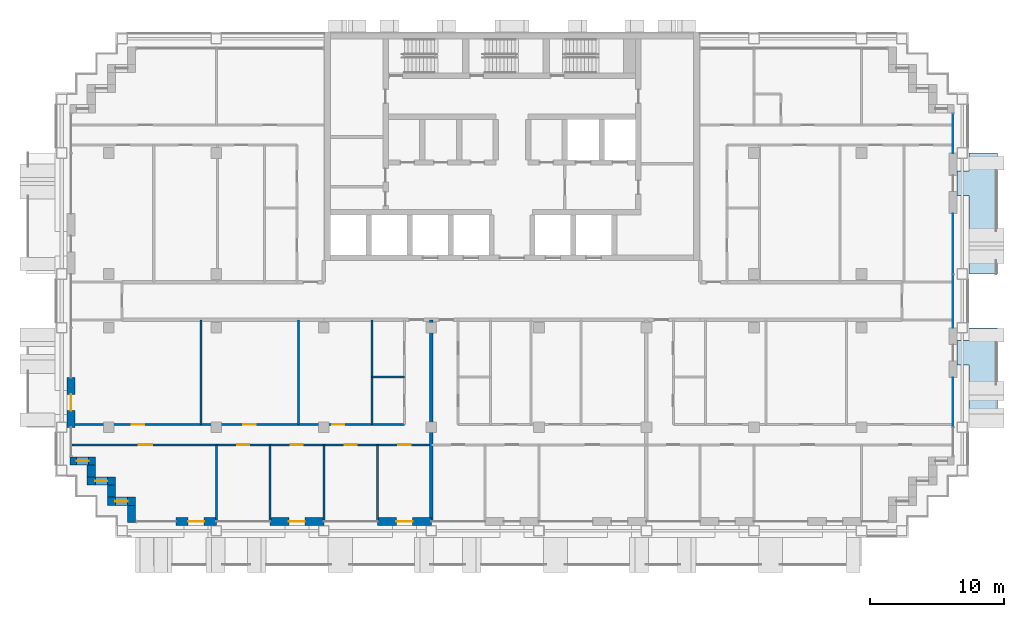
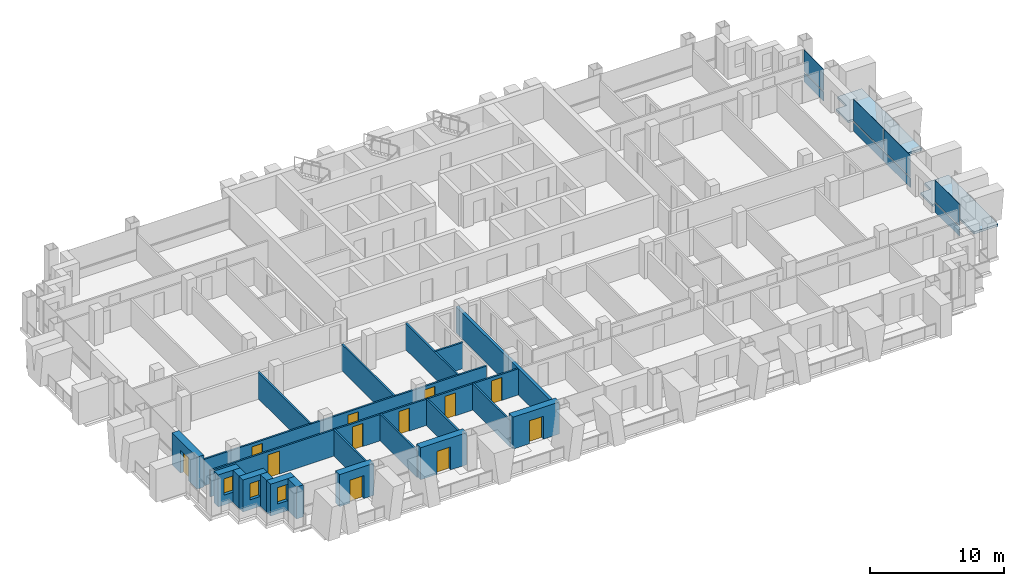
# One storey, part 7 of 16: 21 walls, 12 doors, 8 plates, 3 windows, 2 slabs, 15 openings, 3 elements without a shape of their own.
"""IFC4 building model written with IfcOpenShell, lengths in metres."""

from ifc_helpers import new_model, si_unit, direction, frame, frame_2d, origin, origin_2d, place, context, subcontext, project, spatial, polyline, rectangle, outline, extrude, material, layer, layer_set, type_object, element, fill, aggregate, save


model = new_model("IFC4")

# Units and contexts
model_context = context("Model", 3, precision=1e-05, world=origin(), true_north=direction((0.0, 1.0)))
body_context = subcontext(model_context, "Body", "Model", "MODEL_VIEW")
ifc_project = project(units=[si_unit("LENGTHUNIT", "METRE"), si_unit("AREAUNIT", "SQUARE_METRE"), si_unit("VOLUMEUNIT", "CUBIC_METRE"), si_unit("PLANEANGLEUNIT", "RADIAN"), si_unit("MASSUNIT", "GRAM", prefix="KILO")], contexts=[model_context])

# Site, building, storey
site_placement = place(None, origin())
site = spatial("IfcSite", under=ifc_project, at=site_placement, CompositionType="ELEMENT")
building_placement = place(site_placement, origin())
building = spatial("IfcBuilding", under=site, at=building_placement, Name="Vidyagriha Tower", CompositionType="ELEMENT")
storey_placement = place(building_placement, frame((0.0, 0.0, 135.800048828125)))
storey = spatial("IfcBuildingStorey", under=building, at=storey_placement, Name="L35", CompositionType="ELEMENT", Elevation=135.800048828125)

# Curtain wall, plate
ifc_material_1 = material(Name="Aluminium and glass curtain wall", Category="aluminium")
curtain_wall_type = type_object("IfcCurtainWallType", Name="Dwelling skin unitised curtain wall", PredefinedType="USERDEFINED", material=ifc_material_1)
curtain_wall_1_placement = place(storey_placement, origin())
curtain_wall_1 = element("IfcCurtainWall", 1, at=curtain_wall_1_placement, inside=storey, type_object=curtain_wall_type, Name="CW1 dwelling skin", ObjectType="UNITISED", PredefinedType="USERDEFINED")
ifc_material_2 = material(Name="Glass dark ceramic-fritted spandrel", Category="glass")
ifc_layer_1 = layer(ifc_material_2, 0.0400390625)
ifc_layer_set_1 = layer_set([ifc_layer_1], Name="Glass dark ceramic-fritted spandrel")
plate_type_1 = type_object("IfcPlateType", Name="Ceramic-fritted spandrel panel", PredefinedType="CURTAIN_PANEL", material=ifc_layer_set_1)
plate_1_placement = place(storey_placement, frame((32.800048828125, -7.532470703125, 0.0), z_axis=(0.0, 0.0, 1.0), x_axis=(0.0, 1.0, 0.0)))
plate_1 = element("IfcPlate", 2, at=plate_1_placement, type_object=plate_type_1, Name="CW1 panel 2.1", PredefinedType="CURTAIN_PANEL", context=body_context, shape_type="SweptSolid", body=[
    extrude(rectangle(XDim=3.6650390625, YDim=0.0400390625, at=origin_2d()), origin(), (0.0, 0.0, 1.0), 0.85009765625),
])

curtain_wall_2_placement = place(storey_placement, origin())
curtain_wall_2 = element("IfcCurtainWall", 3, at=curtain_wall_2_placement, inside=storey, type_object=curtain_wall_type, Name="CW1 dwelling skin", ObjectType="UNITISED", PredefinedType="USERDEFINED")
plate_2_placement = place(storey_placement, frame((32.800048828125, 12.465087890625, 0.0), z_axis=(0.0, 0.0, 1.0), x_axis=(0.0, 1.0, 0.0)))
plate_2 = element("IfcPlate", 4, at=plate_2_placement, type_object=plate_type_1, Name="CW1 panel 1.1", PredefinedType="CURTAIN_PANEL", context=body_context, shape_type="SweptSolid", body=[
    extrude(rectangle(XDim=2.929931640625, YDim=0.0400390625, at=origin_2d()), origin(), (0.0, 0.0, 1.0), 0.85009765625),
])

# Plate
ifc_material_3 = material(Name="Glass dark ceramic-fritted", Category="glass")
ifc_layer_2 = layer(ifc_material_3, 0.028076171875)
ifc_layer_set_2 = layer_set([ifc_layer_2], Name="Glass dark ceramic-fritted")
plate_type_2 = type_object("IfcPlateType", Name="Dark ceramic-fritted vision glass panel", PredefinedType="CURTAIN_PANEL", material=ifc_layer_set_2)
plate_3_placement = place(storey_placement, frame((32.800048828125, -7.532470703125, 0.9501953125), z_axis=(0.0, 0.0, 1.0), x_axis=(0.0, 1.0, 0.0)))
plate_3 = element("IfcPlate", 5, at=plate_3_placement, type_object=plate_type_2, Name="CW1 panel 2.2", PredefinedType="CURTAIN_PANEL", context=body_context, shape_type="SweptSolid", body=[
    extrude(rectangle(XDim=3.6650390625, YDim=0.028076171875, at=origin_2d()), origin(), (0.0, 0.0, 1.0), 1.969970703125),
])

aggregate(curtain_wall_1, [plate_1, plate_3])

# Curtain wall, plates
curtain_wall_3_placement = place(storey_placement, origin())
curtain_wall_3 = element("IfcCurtainWall", 6, at=curtain_wall_3_placement, inside=storey, type_object=curtain_wall_type, Name="CW1 dwelling skin", ObjectType="UNITISED", PredefinedType="USERDEFINED")
plate_4_placement = place(storey_placement, frame((32.800048828125, -0.017578125, 0.9501953125), z_axis=(0.0, 0.0, 1.0), x_axis=(0.0, 1.0, 0.0)))
plate_4 = element("IfcPlate", 7, at=plate_4_placement, type_object=plate_type_2, Name="CW1 panel 1.2", PredefinedType="CURTAIN_PANEL", context=body_context, shape_type="SweptSolid", body=[
    extrude(rectangle(XDim=3.965087890625, YDim=0.028076171875, at=origin_2d()), origin(), (0.0, 0.0, 1.0), 1.969970703125),
])
plate_5_placement = place(storey_placement, frame((32.800048828125, 4.267578125, 0.9501953125), z_axis=(0.0, 0.0, 1.0), x_axis=(0.0, 1.0, 0.0)))
plate_5 = element("IfcPlate", 8, at=plate_5_placement, type_object=plate_type_2, Name="CW1 panel 2.2", PredefinedType="CURTAIN_PANEL", context=body_context, shape_type="SweptSolid", body=[
    extrude(rectangle(XDim=4.465087890625, YDim=0.028076171875, at=origin_2d()), origin(), (0.0, 0.0, 1.0), 1.969970703125),
])

# Plate
plate_6_placement = place(storey_placement, frame((32.800048828125, 12.465087890625, 0.9501953125), z_axis=(0.0, 0.0, 1.0), x_axis=(0.0, 1.0, 0.0)))
plate_6 = element("IfcPlate", 9, at=plate_6_placement, type_object=plate_type_2, Name="CW1 panel 1.2", PredefinedType="CURTAIN_PANEL", context=body_context, shape_type="SweptSolid", body=[
    extrude(rectangle(XDim=2.929931640625, YDim=0.028076171875, at=origin_2d()), origin(), (0.0, 0.0, 1.0), 1.969970703125),
])

aggregate(curtain_wall_2, [plate_2, plate_6])

ifc_material_4 = material(Name="Aluminium black anodised", Category="aluminium")
ifc_layer_3 = layer(ifc_material_4, 0.06005859375)
ifc_layer_set_3 = layer_set([ifc_layer_3], Name="Aluminium black anodised")
plate_type_3 = type_object("IfcPlateType", Name="Operable black-metal vent panel", PredefinedType="CURTAIN_PANEL", material=ifc_layer_set_3)
plate_7_placement = place(storey_placement, frame((32.800048828125, -0.017578125, 0.0), z_axis=(0.0, 0.0, 1.0), x_axis=(0.0, 1.0, 0.0)))
plate_7 = element("IfcPlate", 10, at=plate_7_placement, type_object=plate_type_3, Name="CW1 panel 1.1", PredefinedType="CURTAIN_PANEL", context=body_context, shape_type="SweptSolid", body=[
    extrude(rectangle(XDim=3.965087890625, YDim=0.06005859375, at=origin_2d()), origin(), (0.0, 0.0, 1.0), 0.85009765625),
])

plate_8_placement = place(storey_placement, frame((32.800048828125, 4.267578125, 0.0), z_axis=(0.0, 0.0, 1.0), x_axis=(0.0, 1.0, 0.0)))
plate_8 = element("IfcPlate", 11, at=plate_8_placement, type_object=plate_type_3, Name="CW1 panel 2.1", PredefinedType="CURTAIN_PANEL", context=body_context, shape_type="SweptSolid", body=[
    extrude(rectangle(XDim=4.465087890625, YDim=0.06005859375, at=origin_2d()), origin(), (0.0, 0.0, 1.0), 0.85009765625),
])

aggregate(curtain_wall_3, [plate_7, plate_4, plate_8, plate_5])

# Slabs
ifc_material_5 = material(Name="Precast concrete C40/50", Category="concrete")
ifc_layer_4 = layer(ifc_material_5, 0.199951171875)
ifc_layer_set_4 = layer_set([ifc_layer_4], Name="Precast concrete C40/50")
slab_type = type_object("IfcSlabType", Name="Precast balcony slab 200", PredefinedType="USERDEFINED", material=ifc_layer_set_4)
slab_1_placement = place(storey_placement, frame((0.0, 0.0, -0.199951171875)))
element("IfcSlab", 12, at=slab_1_placement, inside=storey, type_object=slab_type, Name="Balcony slab L35 R30.1-1", ObjectType="BALCONY", PredefinedType="USERDEFINED", context=body_context, shape_type="SweptSolid", body=[
    extrude(outline(polyline([(34.0, -4.75), (34.0, -9.39990234375), (36.10009765625, -9.39990234375), (36.10009765625, -2.0), (34.0, -2.0), (34.0, -2.949951171875), (33.10009765625, -2.949951171875), (33.10009765625, -4.75), (34.0, -4.75)])), origin(), (0.0, 0.0, 1.0), 0.199951171875),
])
slab_2_placement = place(storey_placement, frame((0.0, 0.0, -0.199951171875)))
element("IfcSlab", 13, at=slab_2_placement, inside=storey, type_object=slab_type, Name="Balcony slab L35 R30.2-2", ObjectType="BALCONY", PredefinedType="USERDEFINED", context=body_context, shape_type="SweptSolid", body=[
    extrude(outline(polyline([(34.0, 7.85009765625), (34.0, 2.0), (36.10009765625, 2.0), (36.10009765625, 11.0), (34.0, 11.0), (34.0, 9.64990234375), (33.10009765625, 9.64990234375), (33.10009765625, 7.85009765625), (34.0, 7.85009765625)])), origin(), (0.0, 0.0, 1.0), 0.199951171875),
])

# Wall, opening, door
ifc_material_6 = material(Name="Precast concrete C40/50 with brick facing", Category="concrete")
ifc_layer_5 = layer(ifc_material_6, 0.60009765625)
ifc_layer_set_5 = layer_set([ifc_layer_5], Name="Precast concrete C40/50 with brick facing")
wall_type_1 = type_object("IfcWallType", Name="Brick-faced precast wall 600", PredefinedType="STANDARD", material=ifc_layer_set_5)
wall_1_placement = place(storey_placement, frame((-32.800048828125, -5.699951171875, 0.0), z_axis=(0.0, 0.0, 1.0), x_axis=(0.0, -1.0, 0.0)))
wall_1 = element("IfcWall", 14, at=wall_1_placement, inside=storey, type_object=wall_type_1, Name="Brick door bay wall L35 R16.6", PredefinedType="STANDARD", context=body_context, shape_type="SweptSolid", body=[
    extrude(rectangle(XDim=3.699951171875, YDim=0.60009765625, at=frame_2d((1.85009765625, 0.0))), origin(), (0.0, 0.0, 1.0), 2.919921875),
])
opening_1_placement = place(wall_1_placement, frame((1.25, 0.0, 0.0)))
opening_1 = element("IfcOpeningElement", 15, at=opening_1_placement, cuts=wall_1, Name="Opening D35-66", PredefinedType="OPENING", context=body_context, shape_type="SweptSolid", body=[
    extrude(rectangle(XDim=1.199951171875, YDim=2.10009765625, at=frame_2d((0.60009765625, 1.050048828125))), frame((0.0, 0.31005859375, 0.0), z_axis=(0.0, -1.0, 0.0), x_axis=(1.0, 0.0, 0.0)), (0.0, 0.0, 1.0), 0.6201171875),
])
ifc_material_7 = material(Name="Aluminium framed glazed sliding door", Category="aluminium")
door_type_1 = type_object("IfcDoorType", Name="Balcony sliding door 1200x2100", OperationType="NOTDEFINED", PredefinedType="DOOR", material=ifc_material_7)
door_1_placement = place(opening_1_placement, origin())
door_1 = element("IfcDoor", 16, at=door_1_placement, inside=storey, type_object=door_type_1, Name="Door D35-66", OperationType="SLIDING_TO_LEFT", OverallHeight=2.10009765625, OverallWidth=1.199951171875, PredefinedType="DOOR", context=body_context, shape_type="SweptSolid", body=[
    extrude(rectangle(XDim=1.199951171875, YDim=2.10009765625, at=frame_2d((0.60009765625, 1.050048828125))), frame((0.0, 0.02490234375, 0.0), z_axis=(0.0, -1.0, 0.0), x_axis=(1.0, 0.0, 0.0)), (0.0, 0.0, 1.0), 0.050048828125),
])
fill(opening_1, door_1)

# Wall, opening, window
wall_2_placement = place(storey_placement, frame((-32.8798828125, -11.89990234375, 0.0)))
wall_2 = element("IfcWall", 17, at=wall_2_placement, inside=storey, type_object=wall_type_1, Name="Stepped corner wall L35 R17", PredefinedType="STANDARD", context=body_context, shape_type="SweptSolid", body=[
    extrude(rectangle(XDim=1.8798828125, YDim=0.60009765625, at=frame_2d((0.93994140625, 0.0))), origin(), (0.0, 0.0, 1.0), 2.919921875),
])
opening_2_placement = place(wall_2_placement, frame((0.489990234375, 0.0, 0.89990234375)))
opening_2 = element("IfcOpeningElement", 18, at=opening_2_placement, cuts=wall_2, Name="Opening WN1", PredefinedType="OPENING", context=body_context, shape_type="SweptSolid", body=[
    extrude(rectangle(XDim=0.89990234375, YDim=1.5, at=frame_2d((0.449951171875, 0.75))), frame((0.0, 0.31005859375, 0.0), z_axis=(0.0, -1.0, 0.0), x_axis=(1.0, 0.0, 0.0)), (0.0, 0.0, 1.0), 0.6201171875),
])
ifc_material_8 = material(Name="Aluminium and glass window", Category="aluminium")
window_type = type_object("IfcWindowType", Name="Reveal window 900x1500", PartitioningType="NOTDEFINED", PredefinedType="WINDOW", material=ifc_material_8)
window_1_placement = place(opening_2_placement, origin())
window_1 = element("IfcWindow", 19, at=window_1_placement, inside=storey, type_object=window_type, Name="Reveal window L35 R17", OverallHeight=1.5, OverallWidth=0.89990234375, PartitioningType="SINGLE_PANEL", PredefinedType="WINDOW", context=body_context, shape_type="SweptSolid", body=[
    extrude(rectangle(XDim=0.89990234375, YDim=1.5, at=frame_2d((0.449951171875, 0.75))), frame((0.0, 0.030029296875, 0.0), z_axis=(0.0, -1.0, 0.0), x_axis=(1.0, 0.0, 0.0)), (0.0, 0.0, 1.0), 0.06005859375),
])
fill(opening_2, window_1)

# Wall
wall_3_placement = place(storey_placement, frame((-31.300048828125, -12.199951171875, 0.0), z_axis=(0.0, 0.0, 1.0), x_axis=(0.0, -1.0, 0.0)))
element("IfcWall", 20, at=wall_3_placement, inside=storey, type_object=wall_type_1, Name="Stepped corner wall L35 R18", PredefinedType="STANDARD", context=body_context, shape_type="SweptSolid", body=[
    extrude(rectangle(XDim=0.900146484375, YDim=0.60009765625, at=frame_2d((0.4501953125, 0.0))), origin(), (0.0, 0.0, 1.0), 2.919921875),
])

# Wall, opening, window
wall_4_placement = place(storey_placement, frame((-31.60009765625, -13.39990234375, 0.0)))
wall_4 = element("IfcWall", 21, at=wall_4_placement, inside=storey, type_object=wall_type_1, Name="Stepped corner wall L35 R19", PredefinedType="STANDARD", context=body_context, shape_type="SweptSolid", body=[
    extrude(rectangle(XDim=2.10009765625, YDim=0.60009765625, at=frame_2d((1.050048828125, 0.0))), origin(), (0.0, 0.0, 1.0), 2.919921875),
])
opening_3_placement = place(wall_4_placement, frame((0.60009765625, 0.0, 0.89990234375)))
opening_3 = element("IfcOpeningElement", 22, at=opening_3_placement, cuts=wall_4, Name="Opening WN1", PredefinedType="OPENING", context=body_context, shape_type="SweptSolid", body=[
    extrude(rectangle(XDim=0.89990234375, YDim=1.5, at=frame_2d((0.449951171875, 0.75))), frame((0.0, 0.31005859375, 0.0), z_axis=(0.0, -1.0, 0.0), x_axis=(1.0, 0.0, 0.0)), (0.0, 0.0, 1.0), 0.6201171875),
])
window_2_placement = place(opening_3_placement, origin())
window_2 = element("IfcWindow", 23, at=window_2_placement, inside=storey, type_object=window_type, Name="Reveal window L35 R19", OverallHeight=1.5, OverallWidth=0.89990234375, PartitioningType="SINGLE_PANEL", PredefinedType="WINDOW", context=body_context, shape_type="SweptSolid", body=[
    extrude(rectangle(XDim=0.89990234375, YDim=1.5, at=frame_2d((0.449951171875, 0.75))), frame((0.0, 0.030029296875, 0.0), z_axis=(0.0, -1.0, 0.0), x_axis=(1.0, 0.0, 0.0)), (0.0, 0.0, 1.0), 0.06005859375),
])
fill(opening_3, window_2)

# Wall
wall_5_placement = place(storey_placement, frame((-29.800048828125, -13.699951171875, 0.0), z_axis=(0.0, 0.0, 1.0), x_axis=(0.0, -1.0, 0.0)))
element("IfcWall", 24, at=wall_5_placement, inside=storey, type_object=wall_type_1, Name="Stepped corner wall L35 R20", PredefinedType="STANDARD", context=body_context, shape_type="SweptSolid", body=[
    extrude(rectangle(XDim=0.900146484375, YDim=0.60009765625, at=frame_2d((0.4501953125, 0.0))), origin(), (0.0, 0.0, 1.0), 2.919921875),
])

# Wall, opening, window
wall_6_placement = place(storey_placement, frame((-30.10009765625, -14.89990234375, 0.0)))
wall_6 = element("IfcWall", 25, at=wall_6_placement, inside=storey, type_object=wall_type_1, Name="Stepped corner wall L35 R21", PredefinedType="STANDARD", context=body_context, shape_type="SweptSolid", body=[
    extrude(rectangle(XDim=2.10009765625, YDim=0.60009765625, at=frame_2d((1.050048828125, 0.0))), origin(), (0.0, 0.0, 1.0), 2.919921875),
])
opening_4_placement = place(wall_6_placement, frame((0.60009765625, 0.0, 0.89990234375)))
opening_4 = element("IfcOpeningElement", 26, at=opening_4_placement, cuts=wall_6, Name="Opening WN1", PredefinedType="OPENING", context=body_context, shape_type="SweptSolid", body=[
    extrude(rectangle(XDim=0.89990234375, YDim=1.5, at=frame_2d((0.449951171875, 0.75))), frame((0.0, 0.31005859375, 0.0), z_axis=(0.0, -1.0, 0.0), x_axis=(1.0, 0.0, 0.0)), (0.0, 0.0, 1.0), 0.6201171875),
])
window_3_placement = place(opening_4_placement, origin())
window_3 = element("IfcWindow", 27, at=window_3_placement, inside=storey, type_object=window_type, Name="Reveal window L35 R21", OverallHeight=1.5, OverallWidth=0.89990234375, PartitioningType="SINGLE_PANEL", PredefinedType="WINDOW", context=body_context, shape_type="SweptSolid", body=[
    extrude(rectangle(XDim=0.89990234375, YDim=1.5, at=frame_2d((0.449951171875, 0.75))), frame((0.0, 0.030029296875, 0.0), z_axis=(0.0, -1.0, 0.0), x_axis=(1.0, 0.0, 0.0)), (0.0, 0.0, 1.0), 0.06005859375),
])
fill(opening_4, window_3)

# Wall
wall_7_placement = place(storey_placement, frame((-28.300048828125, -15.199951171875, 0.0), z_axis=(0.0, 0.0, 1.0), x_axis=(0.0, -1.0, 0.0)))
element("IfcWall", 28, at=wall_7_placement, inside=storey, type_object=wall_type_1, Name="Stepped corner wall L35 R22", PredefinedType="STANDARD", context=body_context, shape_type="SweptSolid", body=[
    extrude(rectangle(XDim=1.280029296875, YDim=0.60009765625, at=frame_2d((0.64013671875, 0.0))), origin(), (0.0, 0.0, 1.0), 2.919921875),
])

# Wall, opening, door
wall_8_placement = place(storey_placement, frame((-25.0, -16.39990234375, 0.0)))
wall_8 = element("IfcWall", 29, at=wall_8_placement, inside=storey, type_object=wall_type_1, Name="Brick door bay wall L35 R23.2", PredefinedType="STANDARD", context=body_context, shape_type="SweptSolid", body=[
    extrude(rectangle(XDim=3.0, YDim=0.60009765625, at=frame_2d((1.5, 0.0))), origin(), (0.0, 0.0, 1.0), 2.919921875),
])
opening_5_placement = place(wall_8_placement, frame((0.89990234375, 0.0, 0.0)))
opening_5 = element("IfcOpeningElement", 30, at=opening_5_placement, cuts=wall_8, Name="Opening D35-67", PredefinedType="OPENING", context=body_context, shape_type="SweptSolid", body=[
    extrude(rectangle(XDim=1.199951171875, YDim=2.10009765625, at=frame_2d((0.60009765625, 1.050048828125))), frame((0.0, 0.31005859375, 0.0), z_axis=(0.0, -1.0, 0.0), x_axis=(1.0, 0.0, 0.0)), (0.0, 0.0, 1.0), 0.6201171875),
])
door_2_placement = place(opening_5_placement, origin())
door_2 = element("IfcDoor", 31, at=door_2_placement, inside=storey, type_object=door_type_1, Name="Door D35-67", OperationType="SLIDING_TO_LEFT", OverallHeight=2.10009765625, OverallWidth=1.199951171875, PredefinedType="DOOR", context=body_context, shape_type="SweptSolid", body=[
    extrude(rectangle(XDim=1.199951171875, YDim=2.10009765625, at=frame_2d((0.60009765625, 1.050048828125))), frame((0.0, 0.02490234375, 0.0), z_axis=(0.0, -1.0, 0.0), x_axis=(1.0, 0.0, 0.0)), (0.0, 0.0, 1.0), 0.050048828125),
])
fill(opening_5, door_2)

wall_9_placement = place(storey_placement, frame((-18.0, -16.39990234375, 0.0)))
wall_9 = element("IfcWall", 32, at=wall_9_placement, inside=storey, type_object=wall_type_1, Name="Brick door bay wall L35 R23.4", PredefinedType="STANDARD", context=body_context, shape_type="SweptSolid", body=[
    extrude(rectangle(XDim=4.0, YDim=0.60009765625, at=frame_2d((2.0, 0.0))), origin(), (0.0, 0.0, 1.0), 2.919921875),
])
opening_6_placement = place(wall_9_placement, frame((1.39990234375, 0.0, 0.0)))
opening_6 = element("IfcOpeningElement", 33, at=opening_6_placement, cuts=wall_9, Name="Opening D35-68", PredefinedType="OPENING", context=body_context, shape_type="SweptSolid", body=[
    extrude(rectangle(XDim=1.199951171875, YDim=2.10009765625, at=frame_2d((0.60009765625, 1.050048828125))), frame((0.0, 0.31005859375, 0.0), z_axis=(0.0, -1.0, 0.0), x_axis=(1.0, 0.0, 0.0)), (0.0, 0.0, 1.0), 0.6201171875),
])
door_3_placement = place(opening_6_placement, origin())
door_3 = element("IfcDoor", 34, at=door_3_placement, inside=storey, type_object=door_type_1, Name="Door D35-68", OperationType="SLIDING_TO_LEFT", OverallHeight=2.10009765625, OverallWidth=1.199951171875, PredefinedType="DOOR", context=body_context, shape_type="SweptSolid", body=[
    extrude(rectangle(XDim=1.199951171875, YDim=2.10009765625, at=frame_2d((0.60009765625, 1.050048828125))), frame((0.0, 0.02490234375, 0.0), z_axis=(0.0, -1.0, 0.0), x_axis=(1.0, 0.0, 0.0)), (0.0, 0.0, 1.0), 0.050048828125),
])
fill(opening_6, door_3)

wall_10_placement = place(storey_placement, frame((-10.0, -16.39990234375, 0.0)))
wall_10 = element("IfcWall", 35, at=wall_10_placement, inside=storey, type_object=wall_type_1, Name="Brick door bay wall L35 R23.6", PredefinedType="STANDARD", context=body_context, shape_type="SweptSolid", body=[
    extrude(rectangle(XDim=4.0, YDim=0.60009765625, at=frame_2d((2.0, 0.0))), origin(), (0.0, 0.0, 1.0), 2.919921875),
])
opening_7_placement = place(wall_10_placement, frame((1.39990234375, 0.0, 0.0)))
opening_7 = element("IfcOpeningElement", 36, at=opening_7_placement, cuts=wall_10, Name="Opening D35-69", PredefinedType="OPENING", context=body_context, shape_type="SweptSolid", body=[
    extrude(rectangle(XDim=1.199951171875, YDim=2.10009765625, at=frame_2d((0.60009765625, 1.050048828125))), frame((0.0, 0.31005859375, 0.0), z_axis=(0.0, -1.0, 0.0), x_axis=(1.0, 0.0, 0.0)), (0.0, 0.0, 1.0), 0.6201171875),
])
door_4_placement = place(opening_7_placement, origin())
door_4 = element("IfcDoor", 37, at=door_4_placement, inside=storey, type_object=door_type_1, Name="Door D35-69", OperationType="SLIDING_TO_LEFT", OverallHeight=2.10009765625, OverallWidth=1.199951171875, PredefinedType="DOOR", context=body_context, shape_type="SweptSolid", body=[
    extrude(rectangle(XDim=1.199951171875, YDim=2.10009765625, at=frame_2d((0.60009765625, 1.050048828125))), frame((0.0, 0.02490234375, 0.0), z_axis=(0.0, -1.0, 0.0), x_axis=(1.0, 0.0, 0.0)), (0.0, 0.0, 1.0), 0.050048828125),
])
fill(opening_7, door_4)

# Walls
ifc_material_9 = material(Name="Fired clay brick masonry", Category="masonry")
ifc_layer_6 = layer(ifc_material_9, 0.25)
ifc_layer_set_6 = layer_set([ifc_layer_6], Name="Fired clay brick masonry")
wall_type_2 = type_object("IfcWallType", Name="Fired clay brick demising wall 250", PredefinedType="PARTITIONING", material=ifc_layer_set_6)
wall_11_placement = place(storey_placement, frame((-6.0, -1.39990234375, 0.0), z_axis=(0.0, 0.0, 1.0), x_axis=(0.0, -1.0, 0.0)))
element("IfcWall", 38, at=wall_11_placement, inside=storey, type_object=wall_type_2, Name="Wall all-L35-w041", PredefinedType="PARTITIONING", context=body_context, shape_type="SweptSolid", body=[
    extrude(rectangle(XDim=14.91015625, YDim=0.25, at=frame_2d((7.455078125, 0.0))), origin(), (0.0, 0.0, 1.0), 2.39990234375),
])
ifc_material_10 = material(Name="Gypsum board partition")
ifc_layer_7 = layer(ifc_material_10, 0.14990234375)
ifc_layer_set_7 = layer_set([ifc_layer_7], Name="Gypsum board partition")
wall_type_3 = type_object("IfcWallType", Name="Gypsum board partition 150", PredefinedType="PARTITIONING", material=ifc_layer_set_7)
wall_12_placement = place(storey_placement, frame((-8.0, -5.64990234375, 0.0), z_axis=(0.0, 0.0, 1.0), x_axis=(-1.0, 0.0, 0.0)))
element("IfcWall", 39, at=wall_12_placement, inside=storey, type_object=wall_type_3, Name="Wall all-L35-w004", PredefinedType="PARTITIONING", context=body_context, shape_type="SweptSolid", body=[
    extrude(rectangle(XDim=2.39990234375, YDim=0.14990234375, at=frame_2d((1.199951171875, 0.0))), origin(), (0.0, 0.0, 1.0), 2.39990234375),
])
for number, where, z_axis, x_axis, name in (
    (40, (-10.39990234375, -9.199951171875, 0.0), (0.0, 0.0, 1.0), (0.0, 1.0, 0.0), "Wall all-L35-w005"),
    (41, (-15.89990234375, -9.199951171875, 0.0), (0.0, 0.0, 1.0), (0.0, 1.0, 0.0), "Wall all-L35-w006"),
    (42, (-23.14990234375, -9.199951171875, 0.0), (0.0, 0.0, 1.0), (0.0, 1.0, 0.0), "Wall all-L35-w007"),
):
    element("IfcWall", number, at=place(storey_placement, frame(where, z_axis=z_axis, x_axis=x_axis)), inside=storey, type_object=wall_type_3, Name=name, PredefinedType="PARTITIONING", context=body_context, shape_type="SweptSolid", body=[
        extrude(rectangle(XDim=7.800048828125, YDim=0.14990234375, at=frame_2d((3.89990234375, 0.0))), origin(), (0.0, 0.0, 1.0), 2.39990234375),
    ])

# Wall, openings, doors
wall_13_placement = place(storey_placement, frame((-32.7099609375, -9.199951171875, 0.0)))
wall_13 = element("IfcWall", 43, at=wall_13_placement, inside=storey, type_object=wall_type_3, Name="Wall all-L35-w008", PredefinedType="PARTITIONING", context=body_context, shape_type="SweptSolid", body=[
    extrude(rectangle(XDim=24.7099609375, YDim=0.14990234375, at=frame_2d((12.35498046875, 0.0))), origin(), (0.0, 0.0, 1.0), 2.39990234375),
])
opening_8_placement = place(wall_13_placement, frame((19.327880859375, 0.0, 0.0)))
opening_8 = element("IfcOpeningElement", 44, at=opening_8_placement, cuts=wall_13, Name="Opening D35-17", PredefinedType="OPENING", context=body_context, shape_type="SweptSolid", body=[
    extrude(rectangle(XDim=0.89990234375, YDim=2.10009765625, at=frame_2d((0.449951171875, 1.050048828125))), frame((0.0, 0.0849609375, 0.0), z_axis=(0.0, -1.0, 0.0), x_axis=(1.0, 0.0, 0.0)), (0.0, 0.0, 1.0), 0.169921875),
])
opening_9_placement = place(wall_13_placement, frame((12.735107421875, 0.0, 0.0)))
opening_9 = element("IfcOpeningElement", 45, at=opening_9_placement, cuts=wall_13, Name="Opening D35-18", PredefinedType="OPENING", context=body_context, shape_type="SweptSolid", body=[
    extrude(rectangle(XDim=0.89990234375, YDim=2.10009765625, at=frame_2d((0.449951171875, 1.050048828125))), frame((0.0, 0.0849609375, 0.0), z_axis=(0.0, -1.0, 0.0), x_axis=(1.0, 0.0, 0.0)), (0.0, 0.0, 1.0), 0.169921875),
])
opening_10_placement = place(wall_13_placement, frame((4.43505859375, 0.0, 0.0)))
opening_10 = element("IfcOpeningElement", 46, at=opening_10_placement, cuts=wall_13, Name="Opening D35-19", PredefinedType="OPENING", context=body_context, shape_type="SweptSolid", body=[
    extrude(rectangle(XDim=0.89990234375, YDim=2.10009765625, at=frame_2d((0.449951171875, 1.050048828125))), frame((0.0, 0.0849609375, 0.0), z_axis=(0.0, -1.0, 0.0), x_axis=(1.0, 0.0, 0.0)), (0.0, 0.0, 1.0), 0.169921875),
])
ifc_material_11 = material(Name="Timber door leaf", Category="wood")
door_type_2 = type_object("IfcDoorType", Name="Room door 900x2100", OperationType="NOTDEFINED", PredefinedType="DOOR", material=ifc_material_11)
door_5_placement = place(opening_8_placement, origin())
door_5 = element("IfcDoor", 47, at=door_5_placement, inside=storey, type_object=door_type_2, Name="Door D35-17", OperationType="SINGLE_SWING_RIGHT", OverallHeight=2.10009765625, OverallWidth=0.89990234375, PredefinedType="DOOR", context=body_context, shape_type="SweptSolid", body=[
    extrude(rectangle(XDim=0.89990234375, YDim=2.10009765625, at=frame_2d((0.449951171875, 1.050048828125))), frame((0.0, 0.02490234375, 0.0), z_axis=(0.0, -1.0, 0.0), x_axis=(1.0, 0.0, 0.0)), (0.0, 0.0, 1.0), 0.050048828125),
])
fill(opening_8, door_5)
door_6_placement = place(opening_9_placement, origin())
door_6 = element("IfcDoor", 48, at=door_6_placement, inside=storey, type_object=door_type_2, Name="Door D35-18", OperationType="SINGLE_SWING_RIGHT", OverallHeight=2.10009765625, OverallWidth=0.89990234375, PredefinedType="DOOR", context=body_context, shape_type="SweptSolid", body=[
    extrude(rectangle(XDim=0.89990234375, YDim=2.10009765625, at=frame_2d((0.449951171875, 1.050048828125))), frame((0.0, 0.02490234375, 0.0), z_axis=(0.0, -1.0, 0.0), x_axis=(1.0, 0.0, 0.0)), (0.0, 0.0, 1.0), 0.050048828125),
])
fill(opening_9, door_6)
door_7_placement = place(opening_10_placement, origin())
door_7 = element("IfcDoor", 49, at=door_7_placement, inside=storey, type_object=door_type_2, Name="Door D35-19", OperationType="SINGLE_SWING_RIGHT", OverallHeight=2.10009765625, OverallWidth=0.89990234375, PredefinedType="DOOR", context=body_context, shape_type="SweptSolid", body=[
    extrude(rectangle(XDim=0.89990234375, YDim=2.10009765625, at=frame_2d((0.449951171875, 1.050048828125))), frame((0.0, 0.02490234375, 0.0), z_axis=(0.0, -1.0, 0.0), x_axis=(1.0, 0.0, 0.0)), (0.0, 0.0, 1.0), 0.050048828125),
])
fill(opening_10, door_7)

wall_14_placement = place(storey_placement, frame((-6.0, -10.699951171875, 0.0), z_axis=(0.0, 0.0, 1.0), x_axis=(-1.0, 0.0, 0.0)))
wall_14 = element("IfcWall", 50, at=wall_14_placement, inside=storey, type_object=wall_type_3, Name="Wall all-L35-w012", PredefinedType="PARTITIONING", context=body_context, shape_type="SweptSolid", body=[
    extrude(rectangle(XDim=26.719970703125, YDim=0.14990234375, at=frame_2d((13.35986328125, 0.0))), origin(), (0.0, 0.0, 1.0), 2.39990234375),
])
opening_11_placement = place(wall_14_placement, frame((20.75, 0.0, 0.0)))
opening_11 = element("IfcOpeningElement", 51, at=opening_11_placement, cuts=wall_14, Name="Opening D35-20", PredefinedType="OPENING", context=body_context, shape_type="SweptSolid", body=[
    extrude(rectangle(XDim=1.0, YDim=2.10009765625, at=frame_2d((0.5, 1.050048828125))), frame((0.0, 0.0849609375, 0.0), z_axis=(0.0, -1.0, 0.0), x_axis=(1.0, 0.0, 0.0)), (0.0, 0.0, 1.0), 0.169921875),
])
opening_12_placement = place(wall_14_placement, frame((13.550048828125, 0.0, 0.0)))
opening_12 = element("IfcOpeningElement", 52, at=opening_12_placement, cuts=wall_14, Name="Opening D35-21", PredefinedType="OPENING", context=body_context, shape_type="SweptSolid", body=[
    extrude(rectangle(XDim=0.89990234375, YDim=2.10009765625, at=frame_2d((0.449951171875, 1.050048828125))), frame((0.0, 0.0849609375, 0.0), z_axis=(0.0, -1.0, 0.0), x_axis=(1.0, 0.0, 0.0)), (0.0, 0.0, 1.0), 0.169921875),
])
opening_13_placement = place(wall_14_placement, frame((9.550048828125, 0.0, 0.0)))
opening_13 = element("IfcOpeningElement", 53, at=opening_13_placement, cuts=wall_14, Name="Opening D35-22", PredefinedType="OPENING", context=body_context, shape_type="SweptSolid", body=[
    extrude(rectangle(XDim=0.89990234375, YDim=2.10009765625, at=frame_2d((0.449951171875, 1.050048828125))), frame((0.0, 0.0849609375, 0.0), z_axis=(0.0, -1.0, 0.0), x_axis=(1.0, 0.0, 0.0)), (0.0, 0.0, 1.0), 0.169921875),
])
opening_14_placement = place(wall_14_placement, frame((5.550048828125, 0.0, 0.0)))
opening_14 = element("IfcOpeningElement", 54, at=opening_14_placement, cuts=wall_14, Name="Opening D35-23", PredefinedType="OPENING", context=body_context, shape_type="SweptSolid", body=[
    extrude(rectangle(XDim=0.89990234375, YDim=2.10009765625, at=frame_2d((0.449951171875, 1.050048828125))), frame((0.0, 0.0849609375, 0.0), z_axis=(0.0, -1.0, 0.0), x_axis=(1.0, 0.0, 0.0)), (0.0, 0.0, 1.0), 0.169921875),
])
opening_15_placement = place(wall_14_placement, frame((1.550048828125, 0.0, 0.0)))
opening_15 = element("IfcOpeningElement", 55, at=opening_15_placement, cuts=wall_14, Name="Opening D35-24", PredefinedType="OPENING", context=body_context, shape_type="SweptSolid", body=[
    extrude(rectangle(XDim=0.89990234375, YDim=2.10009765625, at=frame_2d((0.449951171875, 1.050048828125))), frame((0.0, 0.0849609375, 0.0), z_axis=(0.0, -1.0, 0.0), x_axis=(1.0, 0.0, 0.0)), (0.0, 0.0, 1.0), 0.169921875),
])
ifc_material_12 = material(Name="Timber door leaf", Category="wood")
door_type_3 = type_object("IfcDoorType", Name="Room door 1000x2100", OperationType="NOTDEFINED", PredefinedType="DOOR", material=ifc_material_12)
door_8_placement = place(opening_11_placement, origin())
door_8 = element("IfcDoor", 56, at=door_8_placement, inside=storey, type_object=door_type_3, Name="Door D35-20", OperationType="SINGLE_SWING_RIGHT", OverallHeight=2.10009765625, OverallWidth=1.0, PredefinedType="DOOR", context=body_context, shape_type="SweptSolid", body=[
    extrude(rectangle(XDim=1.0, YDim=2.10009765625, at=frame_2d((0.5, 1.050048828125))), frame((0.0, 0.02490234375, 0.0), z_axis=(0.0, -1.0, 0.0), x_axis=(1.0, 0.0, 0.0)), (0.0, 0.0, 1.0), 0.050048828125),
])
fill(opening_11, door_8)
door_9_placement = place(opening_12_placement, origin())
door_9 = element("IfcDoor", 57, at=door_9_placement, inside=storey, type_object=door_type_2, Name="Door D35-21", OperationType="SINGLE_SWING_RIGHT", OverallHeight=2.10009765625, OverallWidth=0.89990234375, PredefinedType="DOOR", context=body_context, shape_type="SweptSolid", body=[
    extrude(rectangle(XDim=0.89990234375, YDim=2.10009765625, at=frame_2d((0.449951171875, 1.050048828125))), frame((0.0, 0.02490234375, 0.0), z_axis=(0.0, -1.0, 0.0), x_axis=(1.0, 0.0, 0.0)), (0.0, 0.0, 1.0), 0.050048828125),
])
fill(opening_12, door_9)
door_10_placement = place(opening_13_placement, origin())
door_10 = element("IfcDoor", 58, at=door_10_placement, inside=storey, type_object=door_type_2, Name="Door D35-22", OperationType="SINGLE_SWING_RIGHT", OverallHeight=2.10009765625, OverallWidth=0.89990234375, PredefinedType="DOOR", context=body_context, shape_type="SweptSolid", body=[
    extrude(rectangle(XDim=0.89990234375, YDim=2.10009765625, at=frame_2d((0.449951171875, 1.050048828125))), frame((0.0, 0.02490234375, 0.0), z_axis=(0.0, -1.0, 0.0), x_axis=(1.0, 0.0, 0.0)), (0.0, 0.0, 1.0), 0.050048828125),
])
fill(opening_13, door_10)
door_11_placement = place(opening_14_placement, origin())
door_11 = element("IfcDoor", 59, at=door_11_placement, inside=storey, type_object=door_type_2, Name="Door D35-23", OperationType="SINGLE_SWING_RIGHT", OverallHeight=2.10009765625, OverallWidth=0.89990234375, PredefinedType="DOOR", context=body_context, shape_type="SweptSolid", body=[
    extrude(rectangle(XDim=0.89990234375, YDim=2.10009765625, at=frame_2d((0.449951171875, 1.050048828125))), frame((0.0, 0.02490234375, 0.0), z_axis=(0.0, -1.0, 0.0), x_axis=(1.0, 0.0, 0.0)), (0.0, 0.0, 1.0), 0.050048828125),
])
fill(opening_14, door_11)
door_12_placement = place(opening_15_placement, origin())
door_12 = element("IfcDoor", 60, at=door_12_placement, inside=storey, type_object=door_type_2, Name="Door D35-24", OperationType="SINGLE_SWING_RIGHT", OverallHeight=2.10009765625, OverallWidth=0.89990234375, PredefinedType="DOOR", context=body_context, shape_type="SweptSolid", body=[
    extrude(rectangle(XDim=0.89990234375, YDim=2.10009765625, at=frame_2d((0.449951171875, 1.050048828125))), frame((0.0, 0.02490234375, 0.0), z_axis=(0.0, -1.0, 0.0), x_axis=(1.0, 0.0, 0.0)), (0.0, 0.0, 1.0), 0.050048828125),
])
fill(opening_15, door_12)

# Walls
wall_15_placement = place(storey_placement, frame((-22.0, -10.699951171875, 0.0), z_axis=(0.0, 0.0, 1.0), x_axis=(0.0, -1.0, 0.0)))
element("IfcWall", 61, at=wall_15_placement, inside=storey, type_object=wall_type_3, Name="Wall all-L35-w018", PredefinedType="PARTITIONING", context=body_context, shape_type="SweptSolid", body=[
    extrude(rectangle(XDim=5.610107421875, YDim=0.14990234375, at=frame_2d((2.80517578125, 0.0))), origin(), (0.0, 0.0, 1.0), 2.39990234375),
])
wall_16_placement = place(storey_placement, frame((-18.0, -10.699951171875, 0.0), z_axis=(0.0, 0.0, 1.0), x_axis=(0.0, -1.0, 0.0)))
element("IfcWall", 62, at=wall_16_placement, inside=storey, type_object=wall_type_3, Name="Wall all-L35-w019", PredefinedType="PARTITIONING", context=body_context, shape_type="SweptSolid", body=[
    extrude(rectangle(XDim=5.62109375, YDim=0.14990234375, at=frame_2d((2.810546875, 0.0))), origin(), (0.0, 0.0, 1.0), 2.39990234375),
])
wall_17_placement = place(storey_placement, frame((-14.0, -10.699951171875, 0.0), z_axis=(0.0, 0.0, 1.0), x_axis=(0.0, -1.0, 0.0)))
element("IfcWall", 63, at=wall_17_placement, inside=storey, type_object=wall_type_3, Name="Wall all-L35-w020", PredefinedType="PARTITIONING", context=body_context, shape_type="SweptSolid", body=[
    extrude(rectangle(XDim=5.610107421875, YDim=0.14990234375, at=frame_2d((2.80517578125, 0.0))), origin(), (0.0, 0.0, 1.0), 2.39990234375),
])
wall_18_placement = place(storey_placement, frame((-10.0, -10.699951171875, 0.0), z_axis=(0.0, 0.0, 1.0), x_axis=(0.0, -1.0, 0.0)))
element("IfcWall", 64, at=wall_18_placement, inside=storey, type_object=wall_type_3, Name="Wall all-L35-w021", PredefinedType="PARTITIONING", context=body_context, shape_type="SweptSolid", body=[
    extrude(rectangle(XDim=5.62109375, YDim=0.14990234375, at=frame_2d((2.810546875, 0.0))), origin(), (0.0, 0.0, 1.0), 2.39990234375),
])

save(model, "model.ifc")
